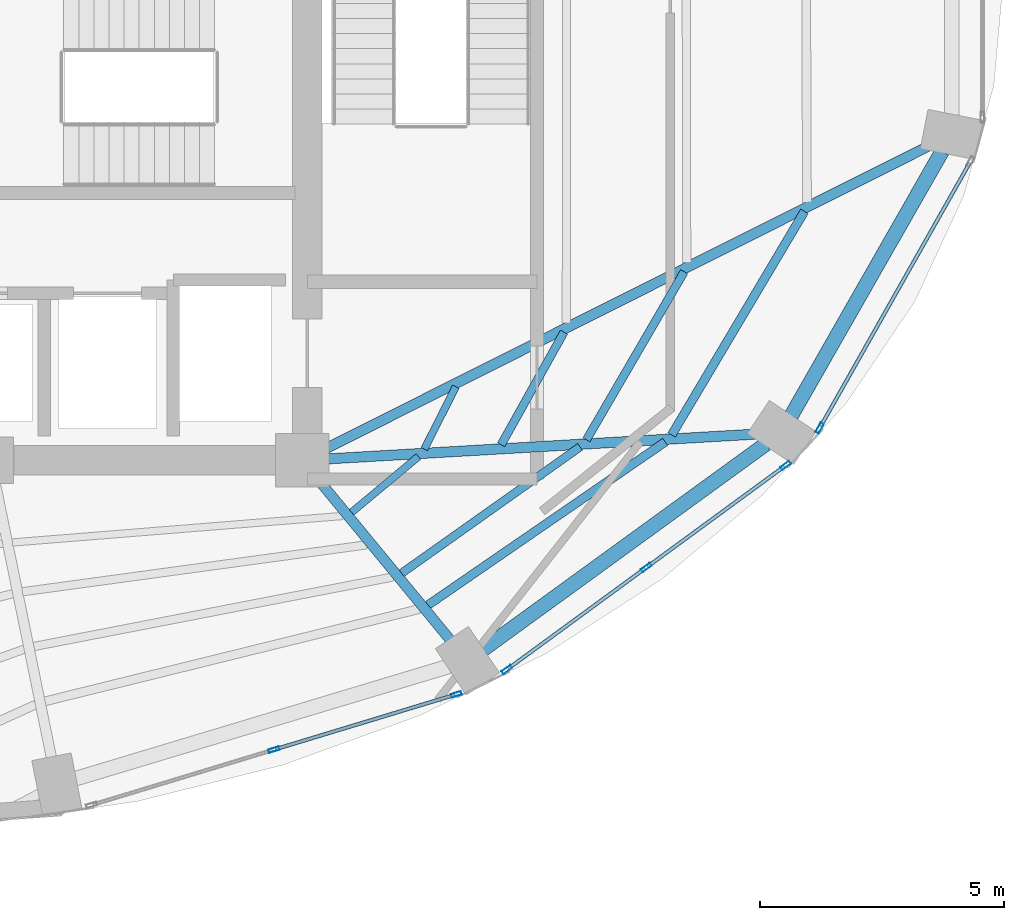
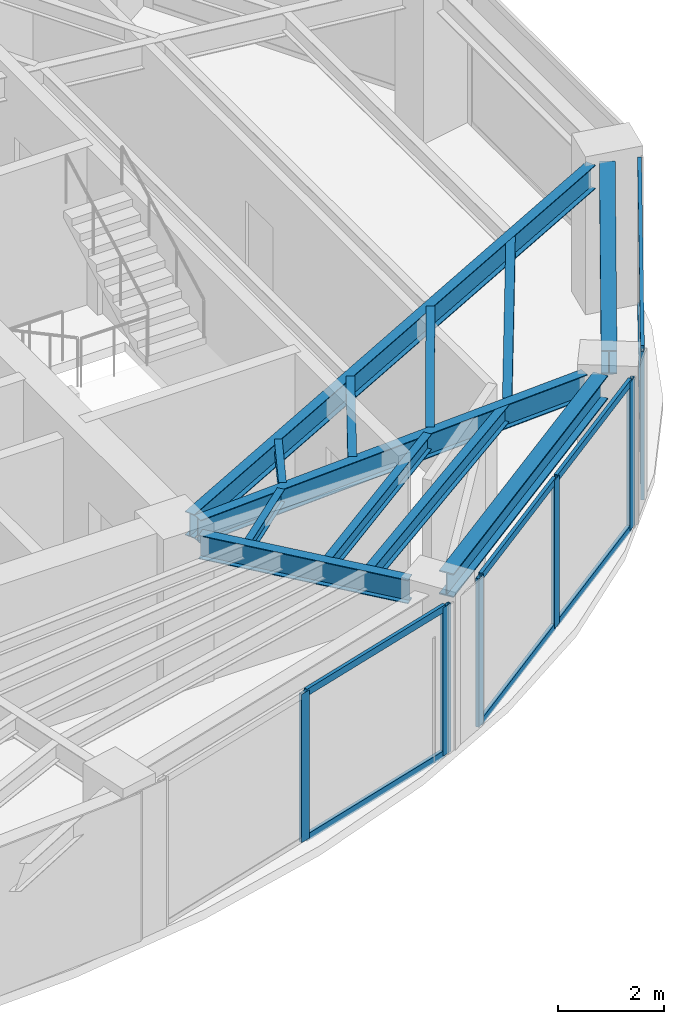
# One storey, part 9 of 20: 14 members, 12 beams, 3 elements without a shape of their own.
"""IFC4 building model written with IfcOpenShell, lengths in metres."""

from ifc_helpers import new_model, si_unit, direction, frame, origin, origin_2d, place, context, subcontext, project, spatial, hollow_rectangle, i_section, extrude, material, layer, layer_set, material_profile, profile_set, type_object, element, aggregate, save


model = new_model("IFC4")

# Units and contexts
model_context = context("Model", 3, precision=1e-05, world=origin(), true_north=direction((0.0, 1.0)))
body_context = subcontext(model_context, "Body", "Model", "MODEL_VIEW")
ifc_project = project(units=[si_unit("LENGTHUNIT", "METRE"), si_unit("AREAUNIT", "SQUARE_METRE"), si_unit("VOLUMEUNIT", "CUBIC_METRE"), si_unit("PLANEANGLEUNIT", "RADIAN"), si_unit("MASSUNIT", "GRAM", prefix="KILO")], contexts=[model_context])

# Site, building, storey
site_placement = place(None, origin())
site = spatial("IfcSite", under=ifc_project, at=site_placement, CompositionType="ELEMENT")
building_placement = place(site_placement, origin())
building = spatial("IfcBuilding", under=site, at=building_placement, Name="Lazwardi Medical Tower", CompositionType="ELEMENT")
storey_placement = place(building_placement, frame((0.0, 0.0, 178.416015625)))
storey = spatial("IfcBuildingStorey", under=building, at=storey_placement, Name="L46", CompositionType="ELEMENT", Elevation=178.416015625)

# Beams
ifc_material_1 = material(Name="Steel S355", Category="steel")
ifc_material_profile_1 = material_profile(ifc_material_1, i_section(OverallWidth=0.300048828125, OverallDepth=0.550048828125, WebThickness=0.014892578125, FlangeThickness=0.029052734375, at=origin_2d()), Name="HEB 550")
ifc_profile_set_1 = profile_set([ifc_material_profile_1], Name="Steel S355")
beam_type_1 = type_object("IfcBeamType", Name="BM-RB-Z3", PredefinedType="BEAM", material=ifc_profile_set_1)
beam_1_placement = place(storey_placement, frame((49.310302734375, 16.520751953125, 3.153076171875), z_axis=(0.809127570774, 0.587633026824, 0.0), x_axis=(-0.587633026824, 0.809127570774, 0.0)))
element("IfcBeam", 1, at=beam_1_placement, inside=storey, type_object=beam_type_1, Name="Ring beam RB-04 B02 L46", PredefinedType="BEAM", context=body_context, shape_type="SweptSolid", body=[
    extrude(i_section(OverallWidth=0.300048828125, OverallDepth=0.550048828125, WebThickness=0.014892578125, FlangeThickness=0.029052734375, at=origin_2d()), origin(), (0.0, 0.0, 1.0), 7.170166015625),
])
beam_2_placement = place(storey_placement, frame((55.6337890625, 21.316650390625, 3.153076171875), z_axis=(0.495477752551, 0.868620628771, 0.0), x_axis=(-0.868620628771, 0.495477752551, 0.0)))
element("IfcBeam", 2, at=beam_2_placement, inside=storey, type_object=beam_type_1, Name="Ring beam RB-04 B03 L46", PredefinedType="BEAM", context=body_context, shape_type="SweptSolid", body=[
    extrude(i_section(OverallWidth=0.300048828125, OverallDepth=0.550048828125, WebThickness=0.014892578125, FlangeThickness=0.029052734375, at=origin_2d()), origin(), (0.0, 0.0, 1.0), 6.244384765625),
])
ifc_material_profile_2 = material_profile(ifc_material_1, i_section(OverallWidth=0.2099609375, OverallDepth=0.550048828125, WebThickness=0.010986328125, FlangeThickness=0.01708984375, at=origin_2d()), Name="IPE 550")
ifc_profile_set_2 = profile_set([ifc_material_profile_2], Name="Steel S355")
beam_type_2 = type_object("IfcBeamType", Name="BM-RG-W2", PredefinedType="BEAM", material=ifc_profile_set_2)
beam_3_placement = place(storey_placement, frame((48.630615234375, 16.71826171875, 3.153076171875), z_axis=(-0.635555639966, 0.772055068312, 0.0), x_axis=(-0.772055068312, -0.635555639966, 0.0)))
element("IfcBeam", 3, at=beam_3_placement, inside=storey, type_object=beam_type_2, Name="Radial girder RG-03 R02 L46", PredefinedType="BEAM", context=body_context, shape_type="SweptSolid", body=[
    extrude(i_section(OverallWidth=0.2099609375, OverallDepth=0.550048828125, WebThickness=0.010986328125, FlangeThickness=0.01708984375, at=origin_2d()), origin(), (0.0, 0.0, 1.0), 4.233642578125),
])
beam_4_placement = place(storey_placement, frame((54.87646484375, 20.936767578125, 3.153076171875), z_axis=(-0.998330154646, -0.057765927014, 0.0), x_axis=(0.057765927014, -0.998330154646, 0.0)))
element("IfcBeam", 4, at=beam_4_placement, inside=storey, type_object=beam_type_2, Name="Radial girder RG-03 R03 L46", PredefinedType="BEAM", context=body_context, shape_type="SweptSolid", body=[
    extrude(i_section(OverallWidth=0.2099609375, OverallDepth=0.550048828125, WebThickness=0.010986328125, FlangeThickness=0.01708984375, at=origin_2d()), origin(), (0.0, 0.0, 1.0), 8.757080078125),
])
beam_5_placement = place(storey_placement, frame((58.42529296875, 26.837158203125, 3.153076171875), z_axis=(-0.893740468624, -0.448584412061, 0.0), x_axis=(0.448584412061, -0.893740468624, 0.0)))
element("IfcBeam", 5, at=beam_5_placement, inside=storey, type_object=beam_type_2, Name="Radial girder RG-03 R04 L46", PredefinedType="BEAM", context=body_context, shape_type="SweptSolid", body=[
    extrude(i_section(OverallWidth=0.2099609375, OverallDepth=0.550048828125, WebThickness=0.010986328125, FlangeThickness=0.01708984375, at=origin_2d()), origin(), (0.0, 0.0, 1.0), 13.815185546875),
])
ifc_material_profile_3 = material_profile(ifc_material_1, i_section(OverallWidth=0.179931640625, OverallDepth=0.39990234375, WebThickness=0.008544921875, FlangeThickness=0.013427734375, at=origin_2d()), Name="IPE 400")
ifc_profile_set_3 = profile_set([ifc_material_profile_3], Name="Steel S355")
beam_type_3 = type_object("IfcBeamType", Name="BM-SJ-01", PredefinedType="JOIST", material=ifc_profile_set_3)
beam_6_placement = place(storey_placement, frame((48.1748046875, 17.4287109375, 3.22802734375), z_axis=(0.823932256005, 0.566688307198, 0.0), x_axis=(-0.566688307198, 0.823932256005, 0.0)))
element("IfcBeam", 6, at=beam_6_placement, inside=storey, type_object=beam_type_3, Name="Secondary joist SJ-01 R1 B02 L46", PredefinedType="JOIST", context=body_context, shape_type="SweptSolid", body=[
    extrude(i_section(OverallWidth=0.179931640625, OverallDepth=0.39990234375, WebThickness=0.008544921875, FlangeThickness=0.013427734375, at=origin_2d()), origin(), (0.0, 0.0, 1.0), 5.91162109375),
])
beam_7_placement = place(storey_placement, frame((53.17919921875, 20.921630859375, 3.22802734375), z_axis=(0.510569396963, 0.859836548935, 0.0), x_axis=(-0.859836548935, 0.510569396963, 0.0)))
element("IfcBeam", 7, at=beam_7_placement, inside=storey, type_object=beam_type_3, Name="Secondary joist SJ-01 R1 B03 L46", PredefinedType="JOIST", context=body_context, shape_type="SweptSolid", body=[
    extrude(i_section(OverallWidth=0.179931640625, OverallDepth=0.39990234375, WebThickness=0.008544921875, FlangeThickness=0.013427734375, at=origin_2d()), origin(), (0.0, 0.0, 1.0), 5.33837890625),
])
ifc_material_profile_4 = material_profile(ifc_material_1, i_section(OverallWidth=0.169921875, OverallDepth=0.360107421875, WebThickness=0.008056640625, FlangeThickness=0.0126953125, at=origin_2d()), Name="IPE 360")
ifc_profile_set_4 = profile_set([ifc_material_profile_4], Name="Steel S355")
beam_type_4 = type_object("IfcBeamType", Name="BM-SJ-02", PredefinedType="JOIST", material=ifc_profile_set_4)
beam_8_placement = place(storey_placement, frame((47.635986328125, 18.08349609375, 3.248046875), z_axis=(0.816108950798, 0.577898070967, 0.0), x_axis=(-0.577898070967, 0.816108950798, 0.0)))
element("IfcBeam", 8, at=beam_8_placement, inside=storey, type_object=beam_type_4, Name="Secondary joist SJ-02 R2 B02 L46", PredefinedType="JOIST", context=body_context, shape_type="SweptSolid", body=[
    extrude(i_section(OverallWidth=0.169921875, OverallDepth=0.360107421875, WebThickness=0.008056640625, FlangeThickness=0.0126953125, at=origin_2d()), origin(), (0.0, 0.0, 1.0), 4.487060546875),
])
beam_9_placement = place(storey_placement, frame((51.4296875, 20.82080078125, 3.248046875), z_axis=(0.502665102216, 0.864481228839, 0.0), x_axis=(-0.864481228839, 0.502665102216, 0.0)))
element("IfcBeam", 9, at=beam_9_placement, inside=storey, type_object=beam_type_4, Name="Secondary joist SJ-02 R2 B03 L46", PredefinedType="JOIST", context=body_context, shape_type="SweptSolid", body=[
    extrude(i_section(OverallWidth=0.169921875, OverallDepth=0.360107421875, WebThickness=0.008056640625, FlangeThickness=0.0126953125, at=origin_2d()), origin(), (0.0, 0.0, 1.0), 3.991943359375),
])
beam_10_placement = place(storey_placement, frame((49.6796875, 20.720703125, 3.248046875), z_axis=(0.487099444348, 0.87334651274, 0.0), x_axis=(-0.87334651274, 0.487099444348, 0.0)))
element("IfcBeam", 10, at=beam_10_placement, inside=storey, type_object=beam_type_4, Name="Secondary joist SJ-02 R3 B03 L46", PredefinedType="JOIST", context=body_context, shape_type="SweptSolid", body=[
    extrude(i_section(OverallWidth=0.169921875, OverallDepth=0.360107421875, WebThickness=0.008056640625, FlangeThickness=0.0126953125, at=origin_2d()), origin(), (0.0, 0.0, 1.0), 2.64599609375),
])
ifc_material_profile_5 = material_profile(ifc_material_1, i_section(OverallWidth=0.14990234375, OverallDepth=0.300048828125, WebThickness=0.007080078125, FlangeThickness=0.0107421875, at=origin_2d()), Name="IPE 300")
ifc_profile_set_5 = profile_set([ifc_material_profile_5], Name="Steel S355")
beam_type_5 = type_object("IfcBeamType", Name="BM-SJ-03", PredefinedType="JOIST", material=ifc_profile_set_5)
beam_11_placement = place(storey_placement, frame((46.608642578125, 19.331787109375, 3.278076171875), z_axis=(0.767437193893, 0.641124132621, 0.0), x_axis=(-0.641124132621, 0.767437193893, 0.0)))
element("IfcBeam", 11, at=beam_11_placement, inside=storey, type_object=beam_type_5, Name="Secondary joist SJ-03 R4 B02 L46", PredefinedType="JOIST", context=body_context, shape_type="SweptSolid", body=[
    extrude(i_section(OverallWidth=0.14990234375, OverallDepth=0.300048828125, WebThickness=0.007080078125, FlangeThickness=0.0107421875, at=origin_2d()), origin(), (0.0, 0.0, 1.0), 1.787841796875),
])
beam_12_placement = place(storey_placement, frame((48.1025390625, 20.631591796875, 3.278076171875), z_axis=(0.450406075332, 0.892823816497, 0.0), x_axis=(-0.892823816497, 0.450406075332, 0.0)))
element("IfcBeam", 12, at=beam_12_placement, inside=storey, type_object=beam_type_5, Name="Secondary joist SJ-03 R4 B03 L46", PredefinedType="JOIST", context=body_context, shape_type="SweptSolid", body=[
    extrude(i_section(OverallWidth=0.14990234375, OverallDepth=0.300048828125, WebThickness=0.007080078125, FlangeThickness=0.0107421875, at=origin_2d()), origin(), (0.0, 0.0, 1.0), 1.4365234375),
])

# Curtain wall, members
ifc_material_2 = material(Name="Anodised bronze aluminium and solar control glazing", Category="aluminium")
ifc_layer = layer(ifc_material_2, 0.195068359375)
ifc_layer_set = layer_set([ifc_layer], Name="Anodised bronze aluminium and solar control glazing")
curtain_wall_type = type_object("IfcCurtainWallType", Name="CW-SYS-03", PredefinedType="NOTDEFINED", material=ifc_layer_set)
curtain_wall_1_placement = place(storey_placement, origin())
curtain_wall_1 = element("IfcCurtainWall", 13, at=curtain_wall_1_placement, inside=storey, type_object=curtain_wall_type, Name="L46 Unitised bronze curtain wall CW-03", PredefinedType="NOTDEFINED")
ifc_material_3 = material(Name="Anodised bronze aluminium", Category="aluminium")
ifc_material_profile_6 = material_profile(ifc_material_3, hollow_rectangle(XDim=0.074951171875, YDim=0.219970703125, WallThickness=0.00390625, at=origin_2d()), Name="ALU-MULLION 220x75x4")
ifc_profile_set_6 = profile_set([ifc_material_profile_6], Name="Anodised bronze aluminium")
member_type_1 = type_object("IfcMemberType", Name="CW-MUL-01", PredefinedType="MULLION", material=ifc_profile_set_6)
member_1_placement = place(storey_placement, frame((45.01513671875, 14.461181640625, 0.0), z_axis=(0.0, 0.0, 1.0), x_axis=(-0.290280785441, 0.956941516292, 0.0)))
member_1 = element("IfcMember", 14, at=member_1_placement, type_object=member_type_1, Name="CW-03 mullion 2", PredefinedType="MULLION", context=body_context, shape_type="SweptSolid", body=[
    extrude(hollow_rectangle(XDim=0.074951171875, YDim=0.219970703125, WallThickness=0.00390625, at=origin_2d()), origin(), (0.0, 0.0, 1.0), 3.427978515625),
])
member_2_placement = place(storey_placement, frame((48.758056640625, 15.5966796875, 0.0), z_axis=(0.0, 0.0, 1.0), x_axis=(-0.290280785441, 0.956941516292, 0.0)))
member_2 = element("IfcMember", 15, at=member_2_placement, type_object=member_type_1, Name="CW-03 mullion 3", PredefinedType="MULLION", context=body_context, shape_type="SweptSolid", body=[
    extrude(hollow_rectangle(XDim=0.074951171875, YDim=0.219970703125, WallThickness=0.00390625, at=origin_2d()), origin(), (0.0, 0.0, 1.0), 3.427978515625),
])

curtain_wall_2_placement = place(storey_placement, origin())
curtain_wall_2 = element("IfcCurtainWall", 16, at=curtain_wall_2_placement, inside=storey, type_object=curtain_wall_type, Name="L46 Unitised bronze curtain wall CW-03", PredefinedType="NOTDEFINED")
member_3_placement = place(storey_placement, frame((49.795654296875, 16.105224609375, 0.0), z_axis=(0.0, 0.0, 1.0), x_axis=(-0.590833862635, 0.806793249082, 0.0)))
member_3 = element("IfcMember", 17, at=member_3_placement, type_object=member_type_1, Name="CW-03 mullion 1", PredefinedType="MULLION", context=body_context, shape_type="SweptSolid", body=[
    extrude(hollow_rectangle(XDim=0.074951171875, YDim=0.219970703125, WallThickness=0.00390625, at=origin_2d()), origin(), (0.0, 0.0, 1.0), 3.427978515625),
])
member_4_placement = place(storey_placement, frame((52.65771484375, 18.201171875, 0.0), z_axis=(0.0, 0.0, 1.0), x_axis=(-0.590833862635, 0.806793249082, 0.0)))
member_4 = element("IfcMember", 18, at=member_4_placement, type_object=member_type_1, Name="CW-03 mullion 2", PredefinedType="MULLION", context=body_context, shape_type="SweptSolid", body=[
    extrude(hollow_rectangle(XDim=0.074951171875, YDim=0.219970703125, WallThickness=0.00390625, at=origin_2d()), origin(), (0.0, 0.0, 1.0), 3.427978515625),
])
member_5_placement = place(storey_placement, frame((55.519775390625, 20.297119140625, 0.0), z_axis=(0.0, 0.0, 1.0), x_axis=(-0.590833862635, 0.806793249082, 0.0)))
member_5 = element("IfcMember", 19, at=member_5_placement, type_object=member_type_1, Name="CW-03 mullion 3", PredefinedType="MULLION", context=body_context, shape_type="SweptSolid", body=[
    extrude(hollow_rectangle(XDim=0.074951171875, YDim=0.219970703125, WallThickness=0.00390625, at=origin_2d()), origin(), (0.0, 0.0, 1.0), 3.427978515625),
])

# Curtain wall, member
curtain_wall_3_placement = place(storey_placement, origin())
curtain_wall_3 = element("IfcCurtainWall", 20, at=curtain_wall_3_placement, inside=storey, type_object=curtain_wall_type, Name="L46 Unitised bronze curtain wall CW-03", PredefinedType="NOTDEFINED")
member_6_placement = place(storey_placement, frame((56.217529296875, 21.063232421875, 0.0), z_axis=(0.0, 0.0, 1.0), x_axis=(-0.870418989303, 0.492311672683, 0.0)))
member_6 = element("IfcMember", 21, at=member_6_placement, type_object=member_type_1, Name="CW-03 mullion 1", PredefinedType="MULLION", context=body_context, shape_type="SweptSolid", body=[
    extrude(hollow_rectangle(XDim=0.074951171875, YDim=0.219970703125, WallThickness=0.00390625, at=origin_2d()), origin(), (0.0, 0.0, 1.0), 3.427978515625),
])

# Member
ifc_material_profile_7 = material_profile(ifc_material_3, hollow_rectangle(XDim=0.074951171875, YDim=0.159912109375, WallThickness=0.00390625, at=origin_2d()), Name="ALU-TRANSOM 160x75x4")
ifc_profile_set_7 = profile_set([ifc_material_profile_7], Name="Anodised bronze aluminium")
member_type_2 = type_object("IfcMemberType", Name="CW-TRN-01", PredefinedType="USERDEFINED", material=ifc_profile_set_7)
member_7_placement = place(storey_placement, frame((45.051025390625, 14.47216796875, 0.03759765625), z_axis=(0.956930154175, 0.290318239233, 0.0), x_axis=(-0.290318239233, 0.956930154175, 0.0)))
member_7 = element("IfcMember", 22, at=member_7_placement, type_object=member_type_2, Name="CW-03 transom 2.1", ObjectType="TRANSOM", PredefinedType="USERDEFINED", context=body_context, shape_type="SweptSolid", body=[
    extrude(hollow_rectangle(XDim=0.074951171875, YDim=0.159912109375, WallThickness=0.00390625, at=origin_2d()), origin(), (0.0, 0.0, 1.0), 3.83642578125),
])

member_8_placement = place(storey_placement, frame((45.051025390625, 14.47216796875, 3.390380859375), z_axis=(0.956930154175, 0.290318239233, 0.0), x_axis=(-0.290318239233, 0.956930154175, 0.0)))
member_8 = element("IfcMember", 23, at=member_8_placement, type_object=member_type_2, Name="CW-03 transom 2.2", ObjectType="TRANSOM", PredefinedType="USERDEFINED", context=body_context, shape_type="SweptSolid", body=[
    extrude(hollow_rectangle(XDim=0.074951171875, YDim=0.159912109375, WallThickness=0.00390625, at=origin_2d()), origin(), (0.0, 0.0, 1.0), 3.83642578125),
])

aggregate(curtain_wall_1, [member_1, member_2, member_7, member_8])

member_9_placement = place(storey_placement, frame((49.825927734375, 16.127197265625, 0.03759765625), z_axis=(0.806773646358, 0.590860629542, 0.0), x_axis=(-0.590860629542, 0.806773646358, 0.0)))
member_9 = element("IfcMember", 24, at=member_9_placement, type_object=member_type_2, Name="CW-03 transom 1.1", ObjectType="TRANSOM", PredefinedType="USERDEFINED", context=body_context, shape_type="SweptSolid", body=[
    extrude(hollow_rectangle(XDim=0.074951171875, YDim=0.159912109375, WallThickness=0.00390625, at=origin_2d()), origin(), (0.0, 0.0, 1.0), 3.472412109375),
])

member_10_placement = place(storey_placement, frame((49.825927734375, 16.127197265625, 3.390380859375), z_axis=(0.806773646358, 0.590860629542, 0.0), x_axis=(-0.590860629542, 0.806773646358, 0.0)))
member_10 = element("IfcMember", 25, at=member_10_placement, type_object=member_type_2, Name="CW-03 transom 1.2", ObjectType="TRANSOM", PredefinedType="USERDEFINED", context=body_context, shape_type="SweptSolid", body=[
    extrude(hollow_rectangle(XDim=0.074951171875, YDim=0.159912109375, WallThickness=0.00390625, at=origin_2d()), origin(), (0.0, 0.0, 1.0), 3.472412109375),
])

member_11_placement = place(storey_placement, frame((52.68798828125, 18.22314453125, 0.03759765625), z_axis=(0.806773646358, 0.590860629542, 0.0), x_axis=(-0.590860629542, 0.806773646358, 0.0)))
member_11 = element("IfcMember", 26, at=member_11_placement, type_object=member_type_2, Name="CW-03 transom 2.1", ObjectType="TRANSOM", PredefinedType="USERDEFINED", context=body_context, shape_type="SweptSolid", body=[
    extrude(hollow_rectangle(XDim=0.074951171875, YDim=0.159912109375, WallThickness=0.00390625, at=origin_2d()), origin(), (0.0, 0.0, 1.0), 3.472412109375),
])

member_12_placement = place(storey_placement, frame((52.68798828125, 18.22314453125, 3.390380859375), z_axis=(0.806773646358, 0.590860629542, 0.0), x_axis=(-0.590860629542, 0.806773646358, 0.0)))
member_12 = element("IfcMember", 27, at=member_12_placement, type_object=member_type_2, Name="CW-03 transom 2.2", ObjectType="TRANSOM", PredefinedType="USERDEFINED", context=body_context, shape_type="SweptSolid", body=[
    extrude(hollow_rectangle(XDim=0.074951171875, YDim=0.159912109375, WallThickness=0.00390625, at=origin_2d()), origin(), (0.0, 0.0, 1.0), 3.472412109375),
])

aggregate(curtain_wall_2, [member_3, member_4, member_5, member_9, member_10, member_11, member_12])

member_13_placement = place(storey_placement, frame((56.236083984375, 21.095947265625, 0.03759765625), z_axis=(0.492322860598, 0.870412661289, 0.0), x_axis=(-0.870412661289, 0.492322860598, 0.0)))
member_13 = element("IfcMember", 28, at=member_13_placement, type_object=member_type_2, Name="CW-03 transom 1.1", ObjectType="TRANSOM", PredefinedType="USERDEFINED", context=body_context, shape_type="SweptSolid", body=[
    extrude(hollow_rectangle(XDim=0.074951171875, YDim=0.159912109375, WallThickness=0.00390625, at=origin_2d()), origin(), (0.0, 0.0, 1.0), 6.20849609375),
])

member_14_placement = place(storey_placement, frame((56.236083984375, 21.095947265625, 3.390380859375), z_axis=(0.492322860598, 0.870412661289, 0.0), x_axis=(-0.870412661289, 0.492322860598, 0.0)))
member_14 = element("IfcMember", 29, at=member_14_placement, type_object=member_type_2, Name="CW-03 transom 1.2", ObjectType="TRANSOM", PredefinedType="USERDEFINED", context=body_context, shape_type="SweptSolid", body=[
    extrude(hollow_rectangle(XDim=0.074951171875, YDim=0.159912109375, WallThickness=0.00390625, at=origin_2d()), origin(), (0.0, 0.0, 1.0), 6.20849609375),
])

aggregate(curtain_wall_3, [member_6, member_13, member_14])

save(model, "model.ifc")
